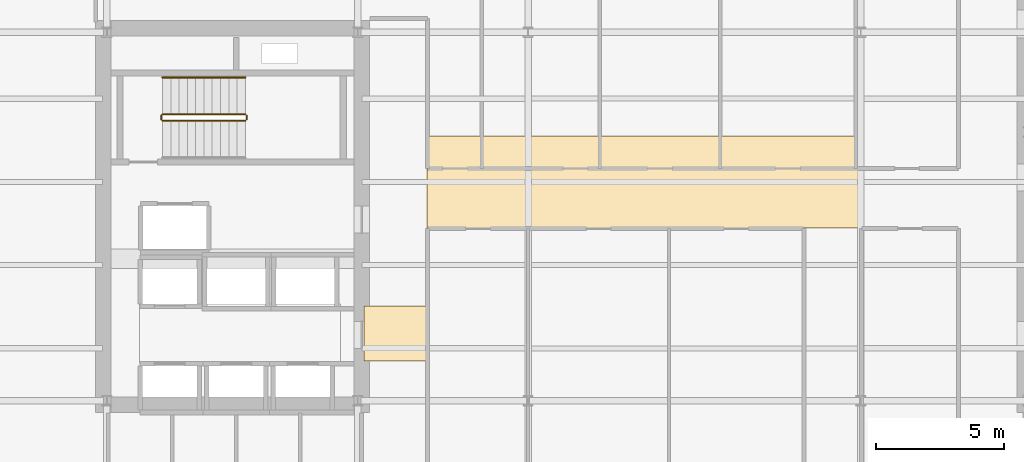
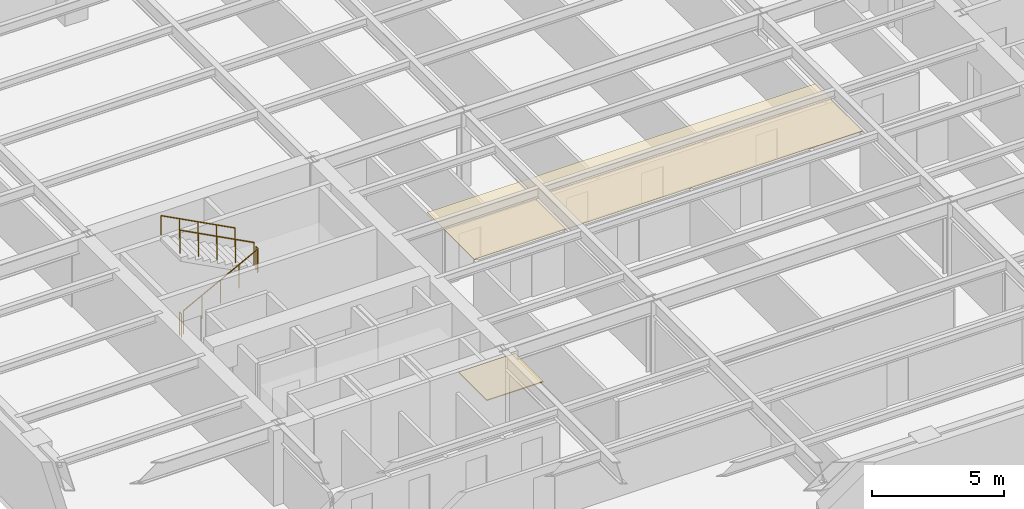
# One storey, part 9 of 11: 5 railings, 2 coverings.
"""IFC4 building model written with IfcOpenShell, lengths in metres."""

from ifc_helpers import new_model, si_unit, direction, frame, origin, origin_2d, place, context, subcontext, project, spatial, polyline, circle, outline, extrude, material, layer, layer_set, type_object, element, save


model = new_model("IFC4")

# Units and contexts
model_context = context("Model", 3, precision=1e-05, world=origin(), true_north=direction((0.0, 1.0)))
body_context = subcontext(model_context, "Body", "Model", "MODEL_VIEW")
ifc_project = project(units=[si_unit("LENGTHUNIT", "METRE"), si_unit("AREAUNIT", "SQUARE_METRE"), si_unit("VOLUMEUNIT", "CUBIC_METRE"), si_unit("PLANEANGLEUNIT", "RADIAN"), si_unit("MASSUNIT", "GRAM", prefix="KILO")], contexts=[model_context])

# Site, building, storey
site_placement = place(None, origin())
site = spatial("IfcSite", under=ifc_project, at=site_placement, CompositionType="ELEMENT")
building_placement = place(site_placement, origin())
building = spatial("IfcBuilding", under=site, at=building_placement, Name="Kolvaren Arena Tower", CompositionType="ELEMENT")
storey_placement = place(building_placement, frame((0.0, 0.0, 184.699951171875)))
storey = spatial("IfcBuildingStorey", under=building, at=storey_placement, Name="L44", CompositionType="ELEMENT", Elevation=184.699951171875)

# Coverings
ifc_material_1 = material(Name="Mineral fibre acoustic ceiling tile", Category="gypsum")
ifc_layer_1 = layer(ifc_material_1, 0.02490234375)
ifc_layer_set_1 = layer_set([ifc_layer_1], Name="Mineral fibre acoustic ceiling tile")
covering_type_1 = type_object("IfcCoveringType", Name="CEIL-ACT-1", PredefinedType="CEILING", material=ifc_layer_set_1)
covering_1_placement = place(storey_placement, frame((0.0, 0.0, 2.52001953125)))
element("IfcCovering", 1, at=covering_1_placement, inside=storey, type_object=covering_type_1, Name="Suspended Ceiling (L44)", PredefinedType="CEILING", context=body_context, shape_type="SweptSolid", body=[
    extrude(outline(polyline([(27.050048828125, 26.199951171875), (27.050048828125, 29.800048828125), (44.10009765625, 29.800048828125), (44.10009765625, 26.199951171875), (27.050048828125, 26.199951171875)])), origin(), (0.0, 0.0, 1.0), 0.025146484375),
])
ifc_material_2 = material(Name="Raised access office floor finish", Category="aluminium")
ifc_layer_2 = layer(ifc_material_2, 0.044921875)
ifc_layer_set_2 = layer_set([ifc_layer_2], Name="Raised access office floor finish")
covering_type_2 = type_object("IfcCoveringType", Name="FLOR-RAF-1", PredefinedType="FLOORING", material=ifc_layer_set_2)
covering_2_placement = place(storey_placement, origin())
element("IfcCovering", 2, at=covering_2_placement, inside=storey, type_object=covering_type_2, Name="Floor Finish (L44)", PredefinedType="FLOORING", context=body_context, shape_type="SweptSolid", body=[
    extrude(outline(polyline([(24.60009765625, 21.0), (24.60009765625, 23.14990234375), (27.080078125, 23.14990234375), (27.080078125, 21.0), (24.60009765625, 21.0)])), origin(), (0.0, 0.0, 1.0), 0.045166015625),
])

# Railings
ifc_material_3 = material(Name="Painted galvanized steel", Category="steel")
railing_type_1 = type_object("IfcRailingType", Name="GUARD-ST-110", PredefinedType="GUARDRAIL", material=ifc_material_3)
railing_1_placement = place(storey_placement, frame((16.719970703125, 30.389892578125, 0.17041015625)))
element("IfcRailing", 3, at=railing_1_placement, inside=storey, type_object=railing_type_1, Name="L44 ST-W1 stair guard 1", PredefinedType="GUARDRAIL", context=body_context, shape_type="SweptSolid", body=[
    extrude(circle(Radius=0.02392578125, at=origin_2d()), frame((0.0, 0.0, 1.076171875), z_axis=(0.884993431791, 0.0, 0.465603506952), x_axis=(0.0, 1.0, 0.0)), (0.0, 0.0, 1.0), 3.6611328125),
    extrude(circle(Radius=0.02099609375, at=origin_2d()), origin(), (0.0, 0.0, 1.0), 1.052001953125),
    extrude(circle(Radius=0.02099609375, at=origin_2d()), frame((0.81005859375, 0.0, 0.42626953125)), (0.0, 0.0, 1.0), 1.052001953125),
    extrude(circle(Radius=0.02099609375, at=origin_2d()), frame((1.6201171875, 0.0, 0.852294921875)), (0.0, 0.0, 1.0), 1.052001953125),
    extrude(circle(Radius=0.02099609375, at=origin_2d()), frame((2.429931640625, 0.0, 1.2783203125)), (0.0, 0.0, 1.0), 1.052001953125),
    extrude(circle(Radius=0.02099609375, at=origin_2d()), frame((3.239990234375, 0.0, 1.70458984375)), (0.0, 0.0, 1.0), 1.052001953125),
])
railing_2_placement = place(storey_placement, frame((20.010009765625, 30.43994140625, 1.875)))
element("IfcRailing", 4, at=railing_2_placement, inside=storey, type_object=railing_type_1, Name="L44 ST-W1 stair guard 2", PredefinedType="GUARDRAIL", context=body_context, shape_type="SweptSolid", body=[
    extrude(circle(Radius=0.02392578125, at=origin_2d()), frame((0.0, 0.0, 1.076171875), z_axis=(0.0, 1.0, 0.0), x_axis=(-1.0, 0.0, 0.0)), (0.0, 0.0, 1.0), 0.150146484375),
    extrude(circle(Radius=0.02099609375, at=origin_2d()), origin(), (0.0, 0.0, 1.0), 1.052001953125),
    extrude(circle(Radius=0.02099609375, at=origin_2d()), frame((0.0, 0.150146484375, 0.0)), (0.0, 0.0, 1.0), 1.052001953125),
])
railing_3_placement = place(storey_placement, frame((19.9599609375, 30.639892578125, 2.04541015625)))
element("IfcRailing", 5, at=railing_3_placement, inside=storey, type_object=railing_type_1, Name="L44 ST-W1 stair guard 3", PredefinedType="GUARDRAIL", context=body_context, shape_type="SweptSolid", body=[
    extrude(circle(Radius=0.02392578125, at=origin_2d()), frame((0.0, 0.0, 1.076171875), z_axis=(-0.884993431791, 0.0, 0.465603506952), x_axis=(0.0, -1.0, 0.0)), (0.0, 0.0, 1.0), 3.6611328125),
    extrude(circle(Radius=0.02099609375, at=origin_2d()), origin(), (0.0, 0.0, 1.0), 1.052001953125),
    extrude(circle(Radius=0.02099609375, at=origin_2d()), frame((-0.81005859375, 0.0, 0.42626953125)), (0.0, 0.0, 1.0), 1.052001953125),
    extrude(circle(Radius=0.02099609375, at=origin_2d()), frame((-1.6201171875, 0.0, 0.852294921875)), (0.0, 0.0, 1.0), 1.052001953125),
    extrude(circle(Radius=0.02099609375, at=origin_2d()), frame((-2.429931640625, 0.0, 1.2783203125)), (0.0, 0.0, 1.0), 1.052001953125),
    extrude(circle(Radius=0.02099609375, at=origin_2d()), frame((-3.239990234375, 0.0, 1.70458984375)), (0.0, 0.0, 1.0), 1.052001953125),
])
railing_4_placement = place(storey_placement, frame((16.669921875, 30.43994140625, 0.0)))
element("IfcRailing", 6, at=railing_4_placement, inside=storey, type_object=railing_type_1, Name="L44 ST-W1 stair guard 4", PredefinedType="GUARDRAIL", context=body_context, shape_type="SweptSolid", body=[
    extrude(circle(Radius=0.02392578125, at=origin_2d()), frame((0.0, 0.0, 1.076171875), z_axis=(0.0, 1.0, 0.0), x_axis=(-1.0, 0.0, 0.0)), (0.0, 0.0, 1.0), 0.150146484375),
    extrude(circle(Radius=0.02099609375, at=origin_2d()), origin(), (0.0, 0.0, 1.0), 1.052001953125),
    extrude(circle(Radius=0.02099609375, at=origin_2d()), frame((0.0, 0.150146484375, 0.0)), (0.0, 0.0, 1.0), 1.052001953125),
])
ifc_material_4 = material(Name="Brushed stainless steel handrail", Category="steel")
railing_type_2 = type_object("IfcRailingType", Name="HRAIL-900", PredefinedType="HANDRAIL", material=ifc_material_4)
railing_5_placement = place(storey_placement, frame((19.9599609375, 32.080078125, 2.04541015625)))
element("IfcRailing", 7, at=railing_5_placement, inside=storey, type_object=railing_type_2, Name="L44 ST-W1 stair handrail 2", PredefinedType="HANDRAIL", context=body_context, shape_type="SweptSolid", body=[
    extrude(circle(Radius=0.02392578125, at=origin_2d()), frame((0.0, 0.0, 0.8759765625), z_axis=(-0.884993431791, 0.0, 0.465603506952), x_axis=(0.0, -1.0, 0.0)), (0.0, 0.0, 1.0), 3.6611328125),
    extrude(circle(Radius=0.02099609375, at=origin_2d()), origin(), (0.0, 0.0, 1.0), 0.851806640625),
    extrude(circle(Radius=0.02099609375, at=origin_2d()), frame((-0.81005859375, 0.0, 0.42626953125)), (0.0, 0.0, 1.0), 0.851806640625),
    extrude(circle(Radius=0.02099609375, at=origin_2d()), frame((-1.6201171875, 0.0, 0.852294921875)), (0.0, 0.0, 1.0), 0.851806640625),
    extrude(circle(Radius=0.02099609375, at=origin_2d()), frame((-2.429931640625, 0.0, 1.2783203125)), (0.0, 0.0, 1.0), 0.851806640625),
    extrude(circle(Radius=0.02099609375, at=origin_2d()), frame((-3.239990234375, 0.0, 1.70458984375)), (0.0, 0.0, 1.0), 0.851806640625),
])

save(model, "model.ifc")
